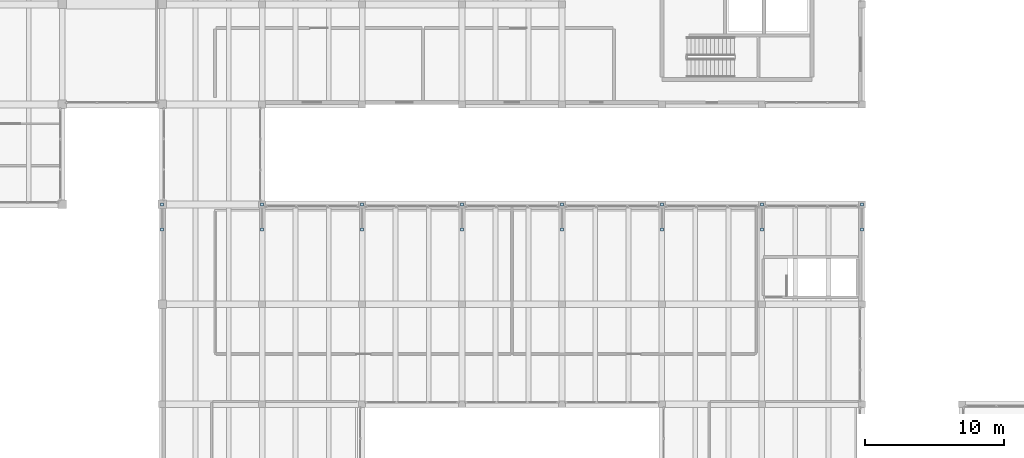
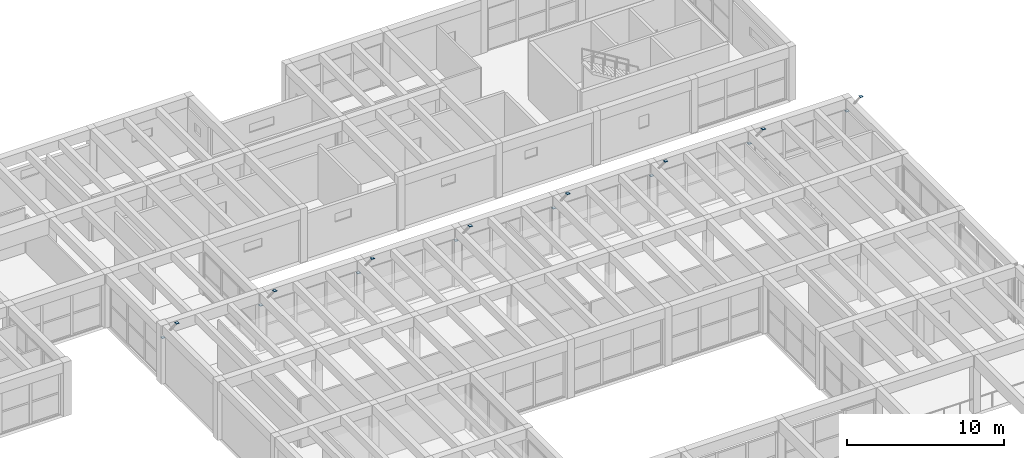
# One storey, part 132 of 153: 16 plates.
"""IFC4 building model written with IfcOpenShell, lengths in metres."""

from ifc_helpers import new_model, si_unit, direction, frame, origin, origin_2d, place, context, subcontext, project, spatial, rectangle, extrude, material, layer, layer_set, type_object, element, save


model = new_model("IFC4")

# Units and contexts
model_context = context("Model", 3, precision=1e-05, world=origin(), true_north=direction((0.0, 1.0)))
body_context = subcontext(model_context, "Body", "Model", "MODEL_VIEW")
ifc_project = project(units=[si_unit("LENGTHUNIT", "METRE"), si_unit("AREAUNIT", "SQUARE_METRE"), si_unit("VOLUMEUNIT", "CUBIC_METRE"), si_unit("PLANEANGLEUNIT", "RADIAN"), si_unit("MASSUNIT", "GRAM", prefix="KILO")], contexts=[model_context])

# Site, building, storey
site_placement = place(None, origin())
site = spatial("IfcSite", under=ifc_project, at=site_placement, CompositionType="ELEMENT")
building_placement = place(site_placement, origin())
building = spatial("IfcBuilding", under=site, at=building_placement, Name="Bramvelor Terrace Health Centre", CompositionType="ELEMENT")
storey_placement = place(building_placement, frame((0.0, 0.0, 4.800048828125)))
storey = spatial("IfcBuildingStorey", under=building, at=storey_placement, Name="L02", CompositionType="ELEMENT", Elevation=4.800048828125)

# Plates
ifc_material = material(Name="Steel S355J2", Category="steel")
ifc_layer = layer(ifc_material, 0.011962890625)
ifc_layer_set = layer_set([ifc_layer], Name="Steel S355J2")
plate_type = type_object("IfcPlateType", Name="PLT-CAP-12-EXT", PredefinedType="USERDEFINED", material=ifc_layer_set)
for number, where, z_axis, x_axis, name in (
    (1, (43.199951171875, 79.199951171875, 3.39404296875), (0.0, 0.0, 1.0), (1.0, 0.0, 0.0), "Storm-Eave Strut Cap Plate N1-1"),
    (2, (43.199951171875, 77.39990234375, 5.61572265625), (0.0, 0.0, 1.0), (1.0, 0.0, 0.0), "Storm-Eave Strut Cap Plate N1-2"),
    (3, (50.39990234375, 79.199951171875, 3.39404296875), (0.0, 0.0, 1.0), (1.0, 0.0, 0.0), "Storm-Eave Strut Cap Plate N2-1"),
    (4, (50.39990234375, 77.39990234375, 5.61572265625), (0.0, 0.0, 1.0), (1.0, 0.0, 0.0), "Storm-Eave Strut Cap Plate N2-2"),
    (5, (57.60009765625, 79.199951171875, 3.39404296875), (0.0, 0.0, 1.0), (1.0, 0.0, 0.0), "Storm-Eave Strut Cap Plate N3-1"),
    (6, (57.60009765625, 77.39990234375, 5.61572265625), (0.0, 0.0, 1.0), (1.0, 0.0, 0.0), "Storm-Eave Strut Cap Plate N3-2"),
    (7, (64.800048828125, 79.199951171875, 3.39404296875), (0.0, 0.0, 1.0), (1.0, 0.0, 0.0), "Storm-Eave Strut Cap Plate N4-1"),
    (8, (64.800048828125, 77.39990234375, 5.61572265625), (0.0, 0.0, 1.0), (1.0, 0.0, 0.0), "Storm-Eave Strut Cap Plate N4-2"),
    (9, (72.0, 79.199951171875, 3.39404296875), (0.0, 0.0, 1.0), (1.0, 0.0, 0.0), "Storm-Eave Strut Cap Plate N5-1"),
    (10, (72.0, 77.39990234375, 5.61572265625), (0.0, 0.0, 1.0), (1.0, 0.0, 0.0), "Storm-Eave Strut Cap Plate N5-2"),
    (11, (79.199951171875, 79.199951171875, 3.39404296875), (0.0, 0.0, 1.0), (1.0, 0.0, 0.0), "Storm-Eave Strut Cap Plate N6-1"),
    (12, (79.199951171875, 77.39990234375, 5.61572265625), (0.0, 0.0, 1.0), (1.0, 0.0, 0.0), "Storm-Eave Strut Cap Plate N6-2"),
    (13, (86.39990234375, 79.199951171875, 3.39404296875), (0.0, 0.0, 1.0), (1.0, 0.0, 0.0), "Storm-Eave Strut Cap Plate N7-1"),
    (14, (86.39990234375, 77.39990234375, 5.61572265625), (0.0, 0.0, 1.0), (1.0, 0.0, 0.0), "Storm-Eave Strut Cap Plate N7-2"),
    (15, (93.60009765625, 79.199951171875, 3.39404296875), (0.0, 0.0, 1.0), (1.0, 0.0, 0.0), "Storm-Eave Strut Cap Plate N8-1"),
    (16, (93.60009765625, 77.39990234375, 5.61572265625), (0.0, 0.0, 1.0), (1.0, 0.0, 0.0), "Storm-Eave Strut Cap Plate N8-2"),
):
    element("IfcPlate", number, at=place(storey_placement, frame(where, z_axis=z_axis, x_axis=x_axis)), inside=storey, type_object=plate_type, Name=name, ObjectType="GUSSET PLATE", PredefinedType="USERDEFINED", context=body_context, shape_type="SweptSolid", body=[
        extrude(rectangle(XDim=0.219970703125, YDim=0.219970703125, at=origin_2d()), origin(), (0.0, 0.0, 1.0), 0.011962890625),
    ])

save(model, "model.ifc")
